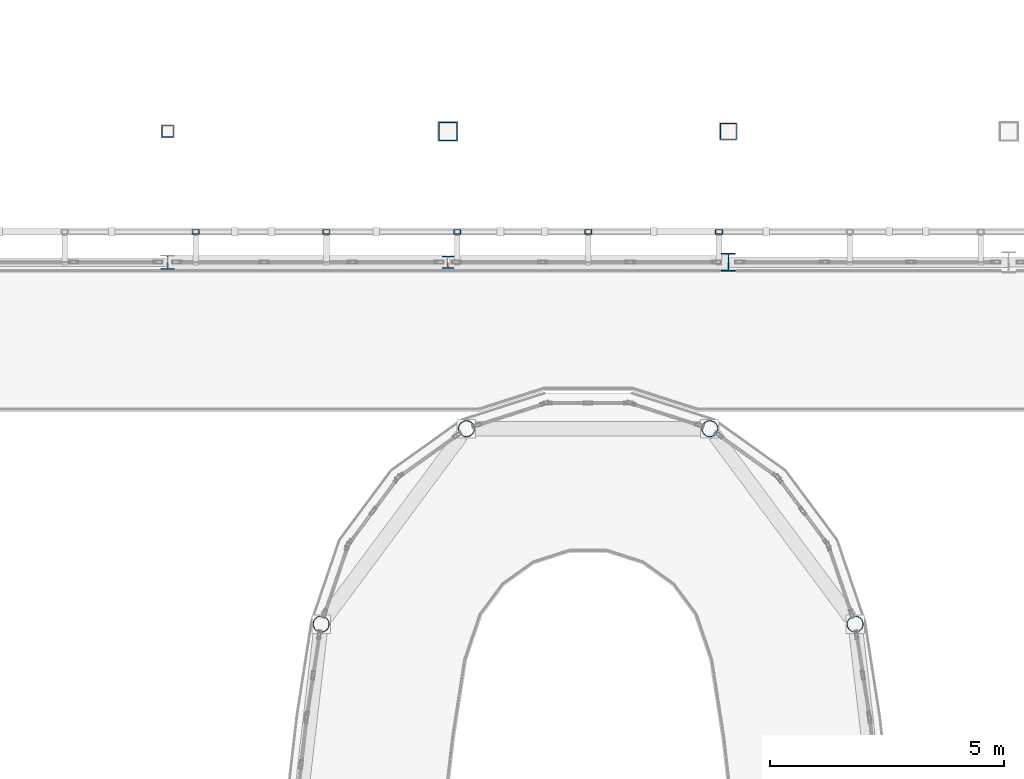
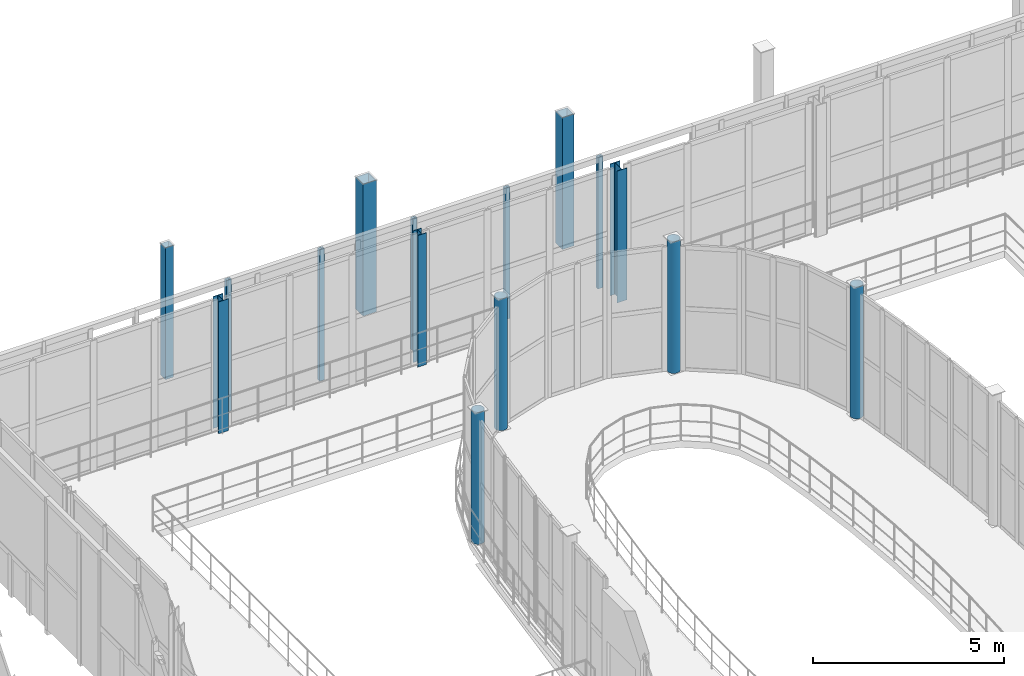
# One storey, part 11 of 138: 15 columns.
"""IFC4 building model written with IfcOpenShell, lengths in metres."""

from ifc_helpers import new_model, si_unit, direction, frame, origin, origin_2d, place, context, subcontext, project, spatial, hollow_rectangle, hollow_circle, i_section, extrude, material, material_profile, profile_set, type_object, element, save


model = new_model("IFC4")

# Units and contexts
model_context = context("Model", 3, precision=1e-05, world=origin(), true_north=direction((0.0, 1.0)))
body_context = subcontext(model_context, "Body", "Model", "MODEL_VIEW")
ifc_project = project(units=[si_unit("LENGTHUNIT", "METRE"), si_unit("AREAUNIT", "SQUARE_METRE"), si_unit("VOLUMEUNIT", "CUBIC_METRE"), si_unit("PLANEANGLEUNIT", "RADIAN"), si_unit("MASSUNIT", "GRAM", prefix="KILO")], contexts=[model_context])

# Site, building, storey
site_placement = place(None, origin())
site = spatial("IfcSite", under=ifc_project, at=site_placement, CompositionType="ELEMENT")
building_placement = place(site_placement, origin())
building = spatial("IfcBuilding", under=site, at=building_placement, Name="Vinh Khe Railworks Police Headquarters", CompositionType="ELEMENT")
storey_placement = place(building_placement, frame((0.0, 0.0, 9.0)))
storey = spatial("IfcBuildingStorey", under=building, at=storey_placement, Name="L02", CompositionType="ELEMENT", Elevation=9.0)

# Columns
ifc_material = material(Name="Steel S355JR", Category="steel")
ifc_material_profile_1 = material_profile(ifc_material, hollow_rectangle(XDim=0.14990234375, YDim=0.10009765625, WallThickness=0.008056640625, at=origin_2d()), Name="RHS 150x100x8")
ifc_profile_set_1 = profile_set([ifc_material_profile_1], Name="Steel S355JR")
column_type_1 = type_object("IfcColumnType", Name="COL-QUILT-POST", PredefinedType="COLUMN", material=ifc_profile_set_1)
for number, where, z_axis, x_axis, name in (
    (1, (34.800048828125, 59.449951171875, 0.0), (0.0, 0.0, 1.0), (1.0, 0.0, 0.0), "Patchwork Quilt Carrier Column N-4 (L02)"),
    (2, (37.60009765625, 59.449951171875, 0.0), (0.0, 0.0, 1.0), (1.0, 0.0, 0.0), "Patchwork Quilt Carrier Column N-5 (L02)"),
    (3, (40.39990234375, 59.449951171875, 0.0), (0.0, 0.0, 1.0), (1.0, 0.0, 0.0), "Patchwork Quilt Carrier Column N-6 (L02)"),
    (4, (43.199951171875, 59.449951171875, 0.0), (0.0, 0.0, 1.0), (1.0, 0.0, 0.0), "Patchwork Quilt Carrier Column N-7 (L02)"),
    (5, (46.0, 59.449951171875, 0.0), (0.0, 0.0, 1.0), (1.0, 0.0, 0.0), "Patchwork Quilt Carrier Column N-8 (L02)"),
):
    element("IfcColumn", number, at=place(storey_placement, frame(where, z_axis=z_axis, x_axis=x_axis)), inside=storey, type_object=column_type_1, Name=name, PredefinedType="COLUMN", context=body_context, shape_type="SweptSolid", body=[
        extrude(hollow_rectangle(XDim=0.14990234375, YDim=0.10009765625, WallThickness=0.008056640625, at=origin_2d()), origin(), (0.0, 0.0, 1.0), 4.199951171875),
    ])
ifc_material_profile_2 = material_profile(ifc_material, hollow_circle(Radius=0.177734375, WallThickness=0.01611328125, at=origin_2d()), Name="CHS 355.6x16")
ifc_profile_set_2 = profile_set([ifc_material_profile_2], Name="Steel S355JR")
column_type_2 = type_object("IfcColumnType", Name="Steel Column CHS 355.6x16", PredefinedType="COLUMN", material=ifc_profile_set_2)
for number, where, z_axis, x_axis, name in (
    (6, (37.48681640625, 51.055908203125, 0.0), (0.0, 0.0, 1.0), (-0.988148142789, 0.15350325046, 0.0), "Column COL-L02-SC-27-0847"),
    (7, (40.594970703125, 55.237548828125, 0.0), (0.0, 0.0, 1.0), (-0.581981048437, 0.813202348287, 0.0), "Column COL-L02-SC-27-0886"),
    (8, (45.80517578125, 55.237548828125, 0.0), (0.0, 0.0, 1.0), (0.30552912238, 0.952182732136, 0.0), "Column COL-L02-SC-27-0896"),
    (9, (48.9130859375, 51.055908203125, 0.0), (0.0, 0.0, 1.0), (0.946480392435, 0.322761315426, 0.0), "Column COL-L02-SC-27-0947"),
):
    element("IfcColumn", number, at=place(storey_placement, frame(where, z_axis=z_axis, x_axis=x_axis)), inside=storey, type_object=column_type_2, Name=name, PredefinedType="COLUMN", context=body_context, shape_type="SweptSolid", body=[
        extrude(hollow_circle(Radius=0.177734375, WallThickness=0.01611328125, at=origin_2d()), origin(), (0.0, 0.0, 1.0), 4.199951171875),
    ])
ifc_material_profile_3 = material_profile(ifc_material, i_section(OverallWidth=0.300048828125, OverallDepth=0.389892578125, WebThickness=0.010986328125, FlangeThickness=0.01904296875, FilletRadius=0.027099609375, at=origin_2d()), Name="HEA 400")
ifc_profile_set_3 = profile_set([ifc_material_profile_3], Name="Steel S355JR")
column_type_3 = type_object("IfcColumnType", Name="Steel Column HEA 400", PredefinedType="COLUMN", material=ifc_profile_set_3)
column_1_placement = place(storey_placement, frame((46.199951171875, 58.800048828125, 0.0), z_axis=(0.0, 0.0, 1.0), x_axis=(1.0, 0.0, 0.0)))
element("IfcColumn", 10, at=column_1_placement, inside=storey, type_object=column_type_3, Name="Column COL-L02-SC-15-0915", PredefinedType="COLUMN", context=body_context, shape_type="SweptSolid", body=[
    extrude(i_section(OverallWidth=0.300048828125, OverallDepth=0.389892578125, WebThickness=0.010986328125, FlangeThickness=0.01904296875, FilletRadius=0.027099609375, at=origin_2d()), origin(), (0.0, 0.0, 1.0), 4.199951171875),
])
ifc_material_profile_4 = material_profile(ifc_material, i_section(OverallWidth=0.260009765625, OverallDepth=0.260009765625, WebThickness=0.010009765625, FlangeThickness=0.017578125, FilletRadius=0.02392578125, at=origin_2d()), Name="HEB 260")
ifc_profile_set_4 = profile_set([ifc_material_profile_4], Name="Steel S355JR")
column_type_4 = type_object("IfcColumnType", Name="Steel Column HEB 260", PredefinedType="COLUMN", material=ifc_profile_set_4)
column_2_placement = place(storey_placement, frame((40.199951171875, 58.800048828125, 0.0), z_axis=(0.0, 0.0, 1.0), x_axis=(1.0, 0.0, 0.0)))
element("IfcColumn", 11, at=column_2_placement, inside=storey, type_object=column_type_4, Name="Column COL-L02-SC-12-0866", PredefinedType="COLUMN", context=body_context, shape_type="SweptSolid", body=[
    extrude(i_section(OverallWidth=0.260009765625, OverallDepth=0.260009765625, WebThickness=0.010009765625, FlangeThickness=0.017578125, FilletRadius=0.02392578125, at=origin_2d()), origin(), (0.0, 0.0, 1.0), 4.199951171875),
])
ifc_material_profile_5 = material_profile(ifc_material, i_section(OverallWidth=0.300048828125, OverallDepth=0.300048828125, WebThickness=0.010986328125, FlangeThickness=0.01904296875, FilletRadius=0.027099609375, at=origin_2d()), Name="HEB 300")
ifc_profile_set_5 = profile_set([ifc_material_profile_5], Name="Steel S355JR")
column_type_5 = type_object("IfcColumnType", Name="Steel Column HEB 300", PredefinedType="COLUMN", material=ifc_profile_set_5)
column_3_placement = place(storey_placement, frame((34.199951171875, 58.800048828125, 0.0), z_axis=(0.0, 0.0, 1.0), x_axis=(1.0, 0.0, 0.0)))
element("IfcColumn", 12, at=column_3_placement, inside=storey, type_object=column_type_5, Name="Column COL-L02-SC-11-0797", PredefinedType="COLUMN", context=body_context, shape_type="SweptSolid", body=[
    extrude(i_section(OverallWidth=0.300048828125, OverallDepth=0.300048828125, WebThickness=0.010986328125, FlangeThickness=0.01904296875, FilletRadius=0.027099609375, at=origin_2d()), origin(), (0.0, 0.0, 1.0), 4.199951171875),
])
ifc_material_profile_6 = material_profile(ifc_material, hollow_rectangle(XDim=0.25, YDim=0.25, WallThickness=0.012451171875, at=origin_2d()), Name="SHS 250x250x12.5")
ifc_profile_set_6 = profile_set([ifc_material_profile_6], Name="Steel S355JR")
column_type_6 = type_object("IfcColumnType", Name="Steel Column SHS 250x250x12.5", PredefinedType="COLUMN", material=ifc_profile_set_6)
column_4_placement = place(storey_placement, frame((34.199951171875, 61.60009765625, 0.0), z_axis=(0.0, 0.0, 1.0), x_axis=(1.0, 0.0, 0.0)))
element("IfcColumn", 13, at=column_4_placement, inside=storey, type_object=column_type_6, Name="Column COL-L02-SC-24-0802", PredefinedType="COLUMN", context=body_context, shape_type="SweptSolid", body=[
    extrude(hollow_rectangle(XDim=0.25, YDim=0.25, WallThickness=0.012451171875, at=origin_2d()), origin(), (0.0, 0.0, 1.0), 4.199951171875),
])
ifc_material_profile_7 = material_profile(ifc_material, hollow_rectangle(XDim=0.35009765625, YDim=0.35009765625, WallThickness=0.01611328125, at=origin_2d()), Name="SHS 350x350x16")
ifc_profile_set_7 = profile_set([ifc_material_profile_7], Name="Steel S355JR")
column_type_7 = type_object("IfcColumnType", Name="Steel Column SHS 350x350x16", PredefinedType="COLUMN", material=ifc_profile_set_7)
column_5_placement = place(storey_placement, frame((46.199951171875, 61.60009765625, 0.0), z_axis=(0.0, 0.0, 1.0), x_axis=(1.0, 0.0, 0.0)))
element("IfcColumn", 14, at=column_5_placement, inside=storey, type_object=column_type_7, Name="Column COL-L02-SC-22-0920", PredefinedType="COLUMN", context=body_context, shape_type="SweptSolid", body=[
    extrude(hollow_rectangle(XDim=0.35009765625, YDim=0.35009765625, WallThickness=0.01611328125, at=origin_2d()), origin(), (0.0, 0.0, 1.0), 4.199951171875),
])
ifc_material_profile_8 = material_profile(ifc_material, hollow_rectangle(XDim=0.39990234375, YDim=0.39990234375, WallThickness=0.02001953125, at=origin_2d()), Name="SHS 400x400x20")
ifc_profile_set_8 = profile_set([ifc_material_profile_8], Name="Steel S355JR")
column_type_8 = type_object("IfcColumnType", Name="Steel Column SHS 400x400x20", PredefinedType="COLUMN", material=ifc_profile_set_8)
column_6_placement = place(storey_placement, frame((40.199951171875, 61.60009765625, 0.0), z_axis=(0.0, 0.0, 1.0), x_axis=(1.0, 0.0, 0.0)))
element("IfcColumn", 15, at=column_6_placement, inside=storey, type_object=column_type_8, Name="Column COL-L02-SC-21-0871", PredefinedType="COLUMN", context=body_context, shape_type="SweptSolid", body=[
    extrude(hollow_rectangle(XDim=0.39990234375, YDim=0.39990234375, WallThickness=0.02001953125, at=origin_2d()), origin(), (0.0, 0.0, 1.0), 4.199951171875),
])

save(model, "model.ifc")
